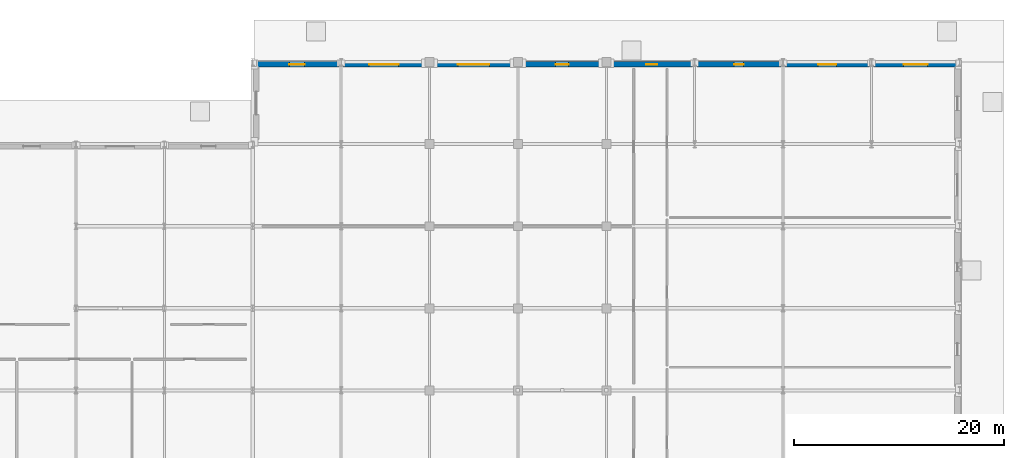
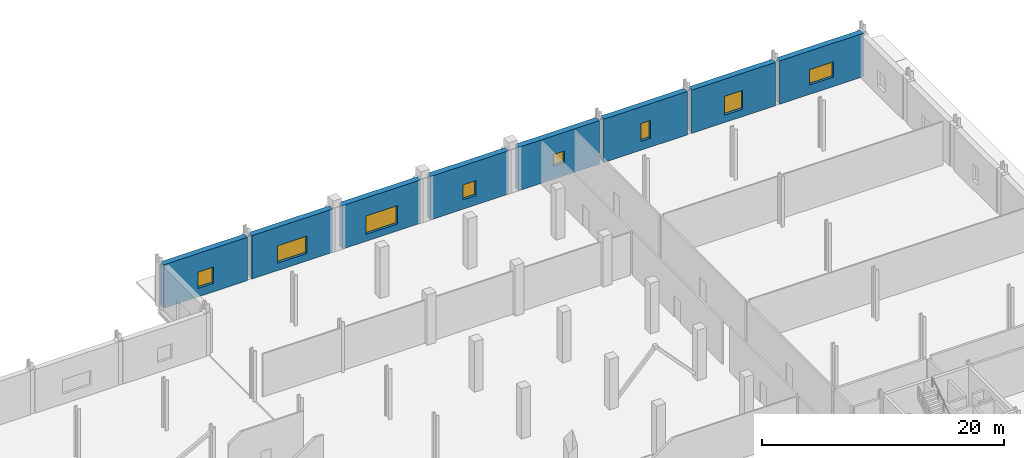
# One storey, part 59 of 80: 8 walls, 8 windows, 8 openings.
"""IFC4 building model written with IfcOpenShell, lengths in metres."""

from ifc_helpers import new_model, si_unit, direction, frame, frame_2d, origin, place, context, subcontext, project, spatial, rectangle, extrude, material, layer, layer_set, type_object, element, fill, save


model = new_model("IFC4")

# Units and contexts
model_context = context("Model", 3, precision=1e-05, world=origin(), true_north=direction((0.0, 1.0)))
body_context = subcontext(model_context, "Body", "Model", "MODEL_VIEW")
ifc_project = project(units=[si_unit("LENGTHUNIT", "METRE"), si_unit("AREAUNIT", "SQUARE_METRE"), si_unit("VOLUMEUNIT", "CUBIC_METRE"), si_unit("PLANEANGLEUNIT", "RADIAN"), si_unit("MASSUNIT", "GRAM", prefix="KILO")], contexts=[model_context])

# Site, building, storey
site_placement = place(None, origin())
site = spatial("IfcSite", under=ifc_project, at=site_placement, CompositionType="ELEMENT")
building_placement = place(site_placement, origin())
building = spatial("IfcBuilding", under=site, at=building_placement, Name="Nabrawat Pavilion Hospital", CompositionType="ELEMENT")
storey_placement = place(building_placement, origin())
storey = spatial("IfcBuildingStorey", under=building, at=storey_placement, Name="L00", CompositionType="ELEMENT", Elevation=0.0)

# Wall, opening, window
ifc_material_1 = material(Name="Precast concrete C40/50", Category="concrete")
ifc_layer = layer(ifc_material_1, 0.5400390625, Name="Precast concrete C40/50")
ifc_layer_set = layer_set([ifc_layer], Name="Precast concrete C40/50")
wall_type = type_object("IfcWallType", Name="Podium Monumental Limestone-Clad Wall 540", PredefinedType="SOLIDWALL", material=ifc_layer_set)
wall_1_placement = place(storey_placement, frame((126.199951171875, 124.580078125, 0.0), z_axis=(0.0, 0.0, 1.0), x_axis=(1.0, 0.0, 0.0)))
wall_1 = element("IfcWall", 1, at=wall_1_placement, inside=storey, type_object=wall_type, Name="L00 Podium Monumental Limestone-Clad Wall 540 146", PredefinedType="SOLIDWALL", context=body_context, shape_type="SweptSolid", body=[
    extrude(rectangle(XDim=8.0, YDim=0.5400390625, at=frame_2d((4.0, 0.0))), origin(), (0.0, 0.0, 1.0), 4.3798828125),
])
opening_1_placement = place(wall_1_placement, frame((3.27490234375, 0.0, 0.85009765625)))
opening_1 = element("IfcOpeningElement", 2, at=opening_1_placement, cuts=wall_1, Name="Opening WN-14", PredefinedType="OPENING", context=body_context, shape_type="SweptSolid", body=[
    extrude(rectangle(XDim=1.449951171875, YDim=1.64990234375, at=frame_2d((0.72509765625, 0.824951171875))), frame((0.0, 0.280029296875, 0.0), z_axis=(0.0, -1.0, 0.0), x_axis=(1.0, 0.0, 0.0)), (0.0, 0.0, 1.0), 0.56005859375),
])
ifc_material_2 = material(Name="Thermally Broken Aluminium and Solar Glass", Category="aluminium")
window_type_1 = type_object("IfcWindowType", Name="Oncology Protective Ward Window 1450x1650", PartitioningType="SINGLE_PANEL", PredefinedType="WINDOW", material=ifc_material_2)
window_1_placement = place(opening_1_placement, origin())
window_1 = element("IfcWindow", 3, at=window_1_placement, inside=storey, type_object=window_type_1, Name="L00 Oncology Protective Ward Window 1450x1650 046", OverallHeight=1.64990234375, OverallWidth=1.449951171875, PartitioningType="SINGLE_PANEL", PredefinedType="WINDOW", context=body_context, shape_type="SweptSolid", body=[
    extrude(rectangle(XDim=1.449951171875, YDim=1.64990234375, at=frame_2d((0.72509765625, 0.824951171875))), frame((0.0, 0.030029296875, 0.0), z_axis=(0.0, -1.0, 0.0), x_axis=(1.0, 0.0, 0.0)), (0.0, 0.0, 1.0), 0.06005859375),
])
fill(opening_1, window_1)

wall_2_placement = place(storey_placement, frame((134.60009765625, 124.580078125, 0.0), z_axis=(0.0, 0.0, 1.0), x_axis=(1.0, 0.0, 0.0)))
wall_2 = element("IfcWall", 4, at=wall_2_placement, inside=storey, type_object=wall_type, Name="L00 Podium Monumental Limestone-Clad Wall 540 147", PredefinedType="SOLIDWALL", context=body_context, shape_type="SweptSolid", body=[
    extrude(rectangle(XDim=7.724853515625, YDim=0.5400390625, at=frame_2d((3.8623046875, 0.0))), origin(), (0.0, 0.0, 1.0), 4.3798828125),
])
opening_2_placement = place(wall_2_placement, frame((2.46240234375, 0.0, 0.75)))
opening_2 = element("IfcOpeningElement", 5, at=opening_2_placement, cuts=wall_2, Name="Opening WN-15", PredefinedType="OPENING", context=body_context, shape_type="SweptSolid", body=[
    extrude(rectangle(XDim=2.800048828125, YDim=1.75, at=frame_2d((1.39990234375, 0.875))), frame((0.0, 0.280029296875, 0.0), z_axis=(0.0, -1.0, 0.0), x_axis=(1.0, 0.0, 0.0)), (0.0, 0.0, 1.0), 0.56005859375),
])
window_type_2 = type_object("IfcWindowType", Name="Neurology Rehab Lounge Window 2800x1750", PartitioningType="SINGLE_PANEL", PredefinedType="WINDOW", material=ifc_material_2)
window_2_placement = place(opening_2_placement, origin())
window_2 = element("IfcWindow", 6, at=window_2_placement, inside=storey, type_object=window_type_2, Name="L00 Neurology Rehab Lounge Window 2800x1750 047", OverallHeight=1.75, OverallWidth=2.800048828125, PartitioningType="SINGLE_PANEL", PredefinedType="WINDOW", context=body_context, shape_type="SweptSolid", body=[
    extrude(rectangle(XDim=2.800048828125, YDim=1.75, at=frame_2d((1.39990234375, 0.875))), frame((0.0, 0.030029296875, 0.0), z_axis=(0.0, -1.0, 0.0), x_axis=(1.0, 0.0, 0.0)), (0.0, 0.0, 1.0), 0.06005859375),
])
fill(opening_2, window_2)

wall_3_placement = place(storey_placement, frame((143.27490234375, 124.580078125, 0.0), z_axis=(0.0, 0.0, 1.0), x_axis=(1.0, 0.0, 0.0)))
wall_3 = element("IfcWall", 7, at=wall_3_placement, inside=storey, type_object=wall_type, Name="L00 Podium Monumental Limestone-Clad Wall 540 148", PredefinedType="SOLIDWALL", context=body_context, shape_type="SweptSolid", body=[
    extrude(rectangle(XDim=7.4501953125, YDim=0.5400390625, at=frame_2d((3.72509765625, 0.0))), origin(), (0.0, 0.0, 1.0), 4.3798828125),
])
opening_3_placement = place(wall_3_placement, frame((2.22509765625, 0.0, 0.699951171875)))
opening_3 = element("IfcOpeningElement", 8, at=opening_3_placement, cuts=wall_3, Name="Opening WN-16", PredefinedType="OPENING", context=body_context, shape_type="SweptSolid", body=[
    extrude(rectangle(XDim=3.0, YDim=1.85009765625, at=frame_2d((1.5, 0.925048828125))), frame((0.0, 0.280029296875, 0.0), z_axis=(0.0, -1.0, 0.0), x_axis=(1.0, 0.0, 0.0)), (0.0, 0.0, 1.0), 0.56005859375),
])
window_type_3 = type_object("IfcWindowType", Name="VIP Suite Panoramic Window 3000x1850", PartitioningType="SINGLE_PANEL", PredefinedType="WINDOW", material=ifc_material_2)
window_3_placement = place(opening_3_placement, origin())
window_3 = element("IfcWindow", 9, at=window_3_placement, inside=storey, type_object=window_type_3, Name="L00 VIP Suite Panoramic Window 3000x1850 048", OverallHeight=1.85009765625, OverallWidth=3.0, PartitioningType="SINGLE_PANEL", PredefinedType="WINDOW", context=body_context, shape_type="SweptSolid", body=[
    extrude(rectangle(XDim=3.0, YDim=1.85009765625, at=frame_2d((1.5, 0.925048828125))), frame((0.0, 0.030029296875, 0.0), z_axis=(0.0, -1.0, 0.0), x_axis=(1.0, 0.0, 0.0)), (0.0, 0.0, 1.0), 0.06005859375),
])
fill(opening_3, window_3)

wall_4_placement = place(storey_placement, frame((151.675048828125, 124.580078125, 0.0), z_axis=(0.0, 0.0, 1.0), x_axis=(1.0, 0.0, 0.0)))
wall_4 = element("IfcWall", 10, at=wall_4_placement, inside=storey, type_object=wall_type, Name="L00 Podium Monumental Limestone-Clad Wall 540 149", PredefinedType="SOLIDWALL", context=body_context, shape_type="SweptSolid", body=[
    extrude(rectangle(XDim=7.449951171875, YDim=0.5400390625, at=frame_2d((3.72509765625, 0.0))), origin(), (0.0, 0.0, 1.0), 4.3798828125),
])
opening_4_placement = place(wall_4_placement, frame((3.10009765625, 0.0, 0.949951171875)))
opening_4 = element("IfcOpeningElement", 11, at=opening_4_placement, cuts=wall_4, Name="Opening WN-17", PredefinedType="OPENING", context=body_context, shape_type="SweptSolid", body=[
    extrude(rectangle(XDim=1.25, YDim=1.5, at=frame_2d((0.625, 0.75))), frame((0.0, 0.280029296875, 0.0), z_axis=(0.0, -1.0, 0.0), x_axis=(1.0, 0.0, 0.0)), (0.0, 0.0, 1.0), 0.56005859375),
])
window_type_4 = type_object("IfcWindowType", Name="Administration Office Window 1250x1500", PartitioningType="SINGLE_PANEL", PredefinedType="WINDOW", material=ifc_material_2)
window_4_placement = place(opening_4_placement, origin())
window_4 = element("IfcWindow", 12, at=window_4_placement, inside=storey, type_object=window_type_4, Name="L00 Administration Office Window 1250x1500 049", OverallHeight=1.5, OverallWidth=1.25, PartitioningType="SINGLE_PANEL", PredefinedType="WINDOW", context=body_context, shape_type="SweptSolid", body=[
    extrude(rectangle(XDim=1.25, YDim=1.5, at=frame_2d((0.625, 0.75))), frame((0.0, 0.030029296875, 0.0), z_axis=(0.0, -1.0, 0.0), x_axis=(1.0, 0.0, 0.0)), (0.0, 0.0, 1.0), 0.06005859375),
])
fill(opening_4, window_4)

wall_5_placement = place(storey_placement, frame((160.074951171875, 124.580078125, 0.0), z_axis=(0.0, 0.0, 1.0), x_axis=(1.0, 0.0, 0.0)))
wall_5 = element("IfcWall", 13, at=wall_5_placement, inside=storey, type_object=wall_type, Name="L00 Podium Monumental Limestone-Clad Wall 540 150", PredefinedType="SOLIDWALL", context=body_context, shape_type="SweptSolid", body=[
    extrude(rectangle(XDim=7.72509765625, YDim=0.5400390625, at=frame_2d((3.862548828125, 0.0))), origin(), (0.0, 0.0, 1.0), 4.3798828125),
])
opening_5_placement = place(wall_5_placement, frame((3.33740234375, 0.0, 1.300048828125)))
opening_5 = element("IfcOpeningElement", 14, at=opening_5_placement, cuts=wall_5, Name="Opening WN-18", PredefinedType="OPENING", context=body_context, shape_type="SweptSolid", body=[
    extrude(rectangle(XDim=1.050048828125, YDim=1.199951171875, at=frame_2d((0.52490234375, 0.60009765625))), frame((0.0, 0.280029296875, 0.0), z_axis=(0.0, -1.0, 0.0), x_axis=(1.0, 0.0, 0.0)), (0.0, 0.0, 1.0), 0.56005859375),
])
window_type_5 = type_object("IfcWindowType", Name="Pharmacy Daylight Slot Window 1050x1200", PartitioningType="SINGLE_PANEL", PredefinedType="WINDOW", material=ifc_material_2)
window_5_placement = place(opening_5_placement, origin())
window_5 = element("IfcWindow", 15, at=window_5_placement, inside=storey, type_object=window_type_5, Name="L00 Pharmacy Daylight Slot Window 1050x1200 050", OverallHeight=1.199951171875, OverallWidth=1.050048828125, PartitioningType="SINGLE_PANEL", PredefinedType="WINDOW", context=body_context, shape_type="SweptSolid", body=[
    extrude(rectangle(XDim=1.050048828125, YDim=1.199951171875, at=frame_2d((0.52490234375, 0.60009765625))), frame((0.0, 0.030029296875, 0.0), z_axis=(0.0, -1.0, 0.0), x_axis=(1.0, 0.0, 0.0)), (0.0, 0.0, 1.0), 0.06005859375),
])
fill(opening_5, window_5)

wall_6_placement = place(storey_placement, frame((168.199951171875, 124.580078125, 0.0), z_axis=(0.0, 0.0, 1.0), x_axis=(1.0, 0.0, 0.0)))
wall_6 = element("IfcWall", 16, at=wall_6_placement, inside=storey, type_object=wall_type, Name="L00 Podium Monumental Limestone-Clad Wall 540 151", PredefinedType="SOLIDWALL", context=body_context, shape_type="SweptSolid", body=[
    extrude(rectangle(XDim=8.0, YDim=0.5400390625, at=frame_2d((4.0, 0.0))), origin(), (0.0, 0.0, 1.0), 4.3798828125),
])
opening_6_placement = place(wall_6_placement, frame((3.550048828125, 0.0, 0.89990234375)))
opening_6 = element("IfcOpeningElement", 17, at=opening_6_placement, cuts=wall_6, Name="Opening WN-19", PredefinedType="OPENING", context=body_context, shape_type="SweptSolid", body=[
    extrude(rectangle(XDim=0.89990234375, YDim=1.800048828125, at=frame_2d((0.449951171875, 0.89990234375))), frame((0.0, 0.280029296875, 0.0), z_axis=(0.0, -1.0, 0.0), x_axis=(1.0, 0.0, 0.0)), (0.0, 0.0, 1.0), 0.56005859375),
])
window_type_6 = type_object("IfcWindowType", Name="Stair Core Natural Light Slot 900x1800", PartitioningType="SINGLE_PANEL", PredefinedType="WINDOW", material=ifc_material_2)
window_6_placement = place(opening_6_placement, origin())
window_6 = element("IfcWindow", 18, at=window_6_placement, inside=storey, type_object=window_type_6, Name="L00 Stair Core Natural Light Slot 900x1800 051", OverallHeight=1.800048828125, OverallWidth=0.89990234375, PartitioningType="SINGLE_PANEL", PredefinedType="WINDOW", context=body_context, shape_type="SweptSolid", body=[
    extrude(rectangle(XDim=0.89990234375, YDim=1.800048828125, at=frame_2d((0.449951171875, 0.89990234375))), frame((0.0, 0.030029296875, 0.0), z_axis=(0.0, -1.0, 0.0), x_axis=(1.0, 0.0, 0.0)), (0.0, 0.0, 1.0), 0.06005859375),
])
fill(opening_6, window_6)

wall_7_placement = place(storey_placement, frame((176.60009765625, 124.580078125, 0.0), z_axis=(0.0, 0.0, 1.0), x_axis=(1.0, 0.0, 0.0)))
wall_7 = element("IfcWall", 19, at=wall_7_placement, inside=storey, type_object=wall_type, Name="L00 Podium Monumental Limestone-Clad Wall 540 152", PredefinedType="SOLIDWALL", context=body_context, shape_type="SweptSolid", body=[
    extrude(rectangle(XDim=8.0, YDim=0.5400390625, at=frame_2d((4.0, 0.0))), origin(), (0.0, 0.0, 1.0), 4.3798828125),
])
opening_7_placement = place(wall_7_placement, frame((3.125, 0.0, 0.75)))
opening_7 = element("IfcOpeningElement", 20, at=opening_7_placement, cuts=wall_7, Name="Opening WN-20", PredefinedType="OPENING", context=body_context, shape_type="SweptSolid", body=[
    extrude(rectangle(XDim=1.75, YDim=1.89990234375, at=frame_2d((0.875, 0.949951171875))), frame((0.0, 0.280029296875, 0.0), z_axis=(0.0, -1.0, 0.0), x_axis=(1.0, 0.0, 0.0)), (0.0, 0.0, 1.0), 0.56005859375),
])
window_type_7 = type_object("IfcWindowType", Name="Corridor End Daylight Window 1750x1900", PartitioningType="SINGLE_PANEL", PredefinedType="WINDOW", material=ifc_material_2)
window_7_placement = place(opening_7_placement, origin())
window_7 = element("IfcWindow", 21, at=window_7_placement, inside=storey, type_object=window_type_7, Name="L00 Corridor End Daylight Window 1750x1900 052", OverallHeight=1.89990234375, OverallWidth=1.75, PartitioningType="SINGLE_PANEL", PredefinedType="WINDOW", context=body_context, shape_type="SweptSolid", body=[
    extrude(rectangle(XDim=1.75, YDim=1.89990234375, at=frame_2d((0.875, 0.949951171875))), frame((0.0, 0.030029296875, 0.0), z_axis=(0.0, -1.0, 0.0), x_axis=(1.0, 0.0, 0.0)), (0.0, 0.0, 1.0), 0.06005859375),
])
fill(opening_7, window_7)

wall_8_placement = place(storey_placement, frame((185.0, 124.580078125, 0.0), z_axis=(0.0, 0.0, 1.0), x_axis=(1.0, 0.0, 0.0)))
wall_8 = element("IfcWall", 22, at=wall_8_placement, inside=storey, type_object=wall_type, Name="L00 Podium Monumental Limestone-Clad Wall 540 153", PredefinedType="SOLIDWALL", context=body_context, shape_type="SweptSolid", body=[
    extrude(rectangle(XDim=8.0, YDim=0.5400390625, at=frame_2d((4.0, 0.0))), origin(), (0.0, 0.0, 1.0), 4.3798828125),
])
opening_8_placement = place(wall_8_placement, frame((2.85009765625, 0.0, 0.949951171875)))
opening_8 = element("IfcOpeningElement", 23, at=opening_8_placement, cuts=wall_8, Name="Opening WN-21", PredefinedType="OPENING", context=body_context, shape_type="SweptSolid", body=[
    extrude(rectangle(XDim=2.300048828125, YDim=1.550048828125, at=frame_2d((1.14990234375, 0.77490234375))), frame((0.0, 0.280029296875, 0.0), z_axis=(0.0, -1.0, 0.0), x_axis=(1.0, 0.0, 0.0)), (0.0, 0.0, 1.0), 0.56005859375),
])
window_type_8 = type_object("IfcWindowType", Name="Sunken Forecourt Metro Window 2300x1550", PartitioningType="SINGLE_PANEL", PredefinedType="WINDOW", material=ifc_material_2)
window_8_placement = place(opening_8_placement, origin())
window_8 = element("IfcWindow", 24, at=window_8_placement, inside=storey, type_object=window_type_8, Name="L00 Sunken Forecourt Metro Window 2300x1550 053", OverallHeight=1.550048828125, OverallWidth=2.300048828125, PartitioningType="SINGLE_PANEL", PredefinedType="WINDOW", context=body_context, shape_type="SweptSolid", body=[
    extrude(rectangle(XDim=2.300048828125, YDim=1.550048828125, at=frame_2d((1.14990234375, 0.77490234375))), frame((0.0, 0.030029296875, 0.0), z_axis=(0.0, -1.0, 0.0), x_axis=(1.0, 0.0, 0.0)), (0.0, 0.0, 1.0), 0.06005859375),
])
fill(opening_8, window_8)

save(model, "model.ifc")
